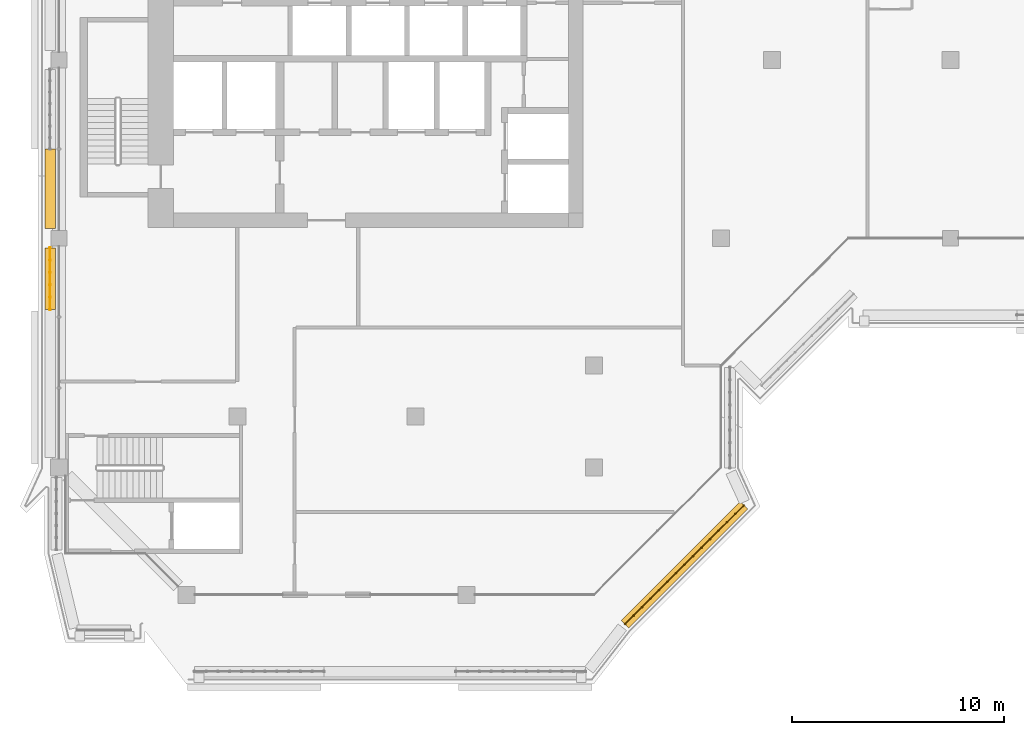
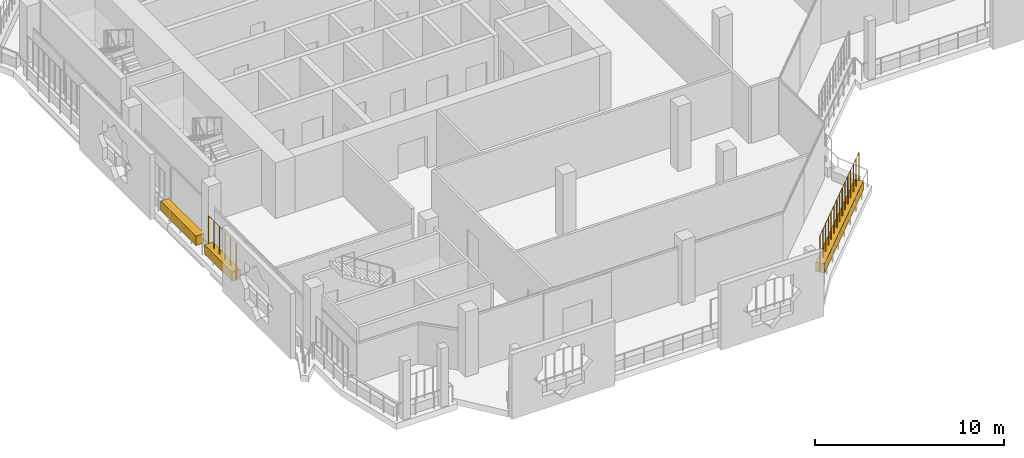
# One storey, part 16 of 21: 3 coverings, 2 railings.
"""IFC4 building model written with IfcOpenShell, lengths in metres."""

import ifcopenshell
import ifcopenshell.guid

model = None  # the IFC model being written
_history = None  # IfcOwnerHistory: only IFC2X3 demands one
_inside = {}  # id of a spatial element -> (the spatial element, [elements in it])
_under = {}  # id of a project, library or spatial element -> (it, [spatial elements below it])
_declared = {}  # id of a project -> (the project, [libraries it declares])
_typed = {}  # id of a type object -> (the type object, [elements of that type])
_made_of = {}  # id of a material, layer set ... -> (it, [elements and type objects made of it])


def new_model(schema):
    """Start an empty IFC model of exactly this schema.

    Asked for "IFC4X3", IfcOpenShell would pick the latest addendum, in which some entities
    have other attributes; the version numbers below select the first issue.
    IFC2X3 requires an IfcOwnerHistory on every rooted entity: one is made here for all.
    """
    global model, _history
    if schema == "IFC4X3":
        model = ifcopenshell.file(schema_version=(4, 3, 0, 0))
    else:
        model = ifcopenshell.file(schema=schema)
    _inside.clear()
    _under.clear()
    _declared.clear()
    _typed.clear()
    _made_of.clear()
    _history = None
    if model.schema == "IFC2X3":
        org = make("IfcOrganization", Name="unknown")
        user = make(
            "IfcPersonAndOrganization",
            ThePerson=make("IfcPerson", FamilyName="unknown"),
            TheOrganization=org,
        )
        app = make(
            "IfcApplication",
            ApplicationDeveloper=org,
            Version="unknown",
            ApplicationFullName="unknown",
            ApplicationIdentifier="unknown",
        )
        _history = make(
            "IfcOwnerHistory",
            OwningUser=user,
            OwningApplication=app,
            ChangeAction="ADDED",
            CreationDate=0,
        )
    return model


def make(cls, **values):
    """One entity of the class cls with the attributes given. An attribute that is None is left unset."""
    return model.create_entity(
        cls, **{name: value for name, value in values.items() if value is not None}
    )


def rooted(cls, **values):
    """An entity with a GlobalId (a new one), such as an element, a storey or a relation."""
    return make(cls, GlobalId=ifcopenshell.guid.new(), OwnerHistory=_history, **values)


def si_unit(unit_type, name, prefix=None):
    """IfcSIUnit, for example si_unit("LENGTHUNIT", "METRE", prefix="MILLI")."""
    return make("IfcSIUnit", UnitType=unit_type, Prefix=prefix, Name=name)


def assignment(units):
    """IfcUnitAssignment: the units of a project."""
    return None if units is None else make("IfcUnitAssignment", Units=units)


def point(xyz):
    """IfcCartesianPoint."""
    return None if xyz is None else make("IfcCartesianPoint", Coordinates=xyz)


def direction(xyz):
    """IfcDirection."""
    return None if xyz is None else make("IfcDirection", DirectionRatios=xyz)


def frame(location, z_axis=None, x_axis=None):
    """IfcAxis2Placement3D, a coordinate frame: its origin and axes. An axis left out is left unset."""
    return make(
        "IfcAxis2Placement3D",
        Location=point(location),
        Axis=direction(z_axis),
        RefDirection=direction(x_axis),
    )


def frame_2d(location, x_axis=None):
    """IfcAxis2Placement2D, a coordinate frame in the plane: its origin and x axis."""
    return make(
        "IfcAxis2Placement2D", Location=point(location), RefDirection=direction(x_axis)
    )


def origin():
    """The frame at (0, 0, 0) with its axes left unset."""
    return frame((0.0, 0.0, 0.0))


def origin_2d():
    """The frame at (0, 0) in the plane with its x axis left unset."""
    return frame_2d((0.0, 0.0))


def place(relative_to, where):
    """IfcLocalPlacement: puts the frame where relative to a parent placement (None: the world)."""
    return make(
        "IfcLocalPlacement", PlacementRelTo=relative_to, RelativePlacement=where
    )


def context(
    kind, dimensions, precision=None, world=None, true_north=None, identifier=None
):
    """IfcGeometricRepresentationContext, for example the 3D "Model" context."""
    return make(
        "IfcGeometricRepresentationContext",
        ContextIdentifier=identifier,
        ContextType=kind,
        CoordinateSpaceDimension=dimensions,
        Precision=precision,
        WorldCoordinateSystem=world,
        TrueNorth=true_north,
    )


def subcontext(parent, identifier, kind, view, scale=None):
    """IfcGeometricRepresentationSubContext, for example "Body" below "Model"."""
    return make(
        "IfcGeometricRepresentationSubContext",
        ContextIdentifier=identifier,
        ContextType=kind,
        ParentContext=parent,
        TargetScale=scale,
        TargetView=view,
    )


def project(units=None, contexts=None):
    """IfcProject with its units and contexts."""
    return rooted(
        "IfcProject",
        Name="project",
        RepresentationContexts=contexts,
        UnitsInContext=assignment(units),
    )


def spatial(cls, under=None, at=None, **own):
    """A site, building, storey or space (cls), placed at a placement, below another one or the project."""
    s = rooted(cls, ObjectPlacement=at, **own)
    if under is not None:
        _under.setdefault(under.id(), (under, []))[1].append(s)
    return s


def profile(cls, at=None, kind="AREA", **sizes):
    """A parametric profile (cls). Its sizes go by their IFC names, for example OverallWidth=200.0."""
    return make(cls, ProfileType=kind, Position=at, **sizes)


def rectangle(**sizes):
    """IfcRectangleProfileDef."""
    return profile("IfcRectangleProfileDef", **sizes)


def circle(**sizes):
    """IfcCircleProfileDef."""
    return profile("IfcCircleProfileDef", **sizes)


def extrude(swept, where, along, depth):
    """IfcExtrudedAreaSolid: the profile swept, set in the frame where, extruded along a direction by depth."""
    return make(
        "IfcExtrudedAreaSolid",
        SweptArea=swept,
        Position=where,
        ExtrudedDirection=direction(along),
        Depth=depth,
    )


def shape(context_of_items, identifier, shape_type, items):
    """IfcShapeRepresentation: the items that make up one representation, for example the "Body"."""
    return make(
        "IfcShapeRepresentation",
        ContextOfItems=context_of_items,
        RepresentationIdentifier=identifier,
        RepresentationType=shape_type,
        Items=items,
    )


def material(Name=None, Category=None):
    """IfcMaterial."""
    return make("IfcMaterial", Name=Name, Category=Category)


def material_profile(
    of_material, cross_section, Name=None, Category=None, Priority=None
):
    """IfcMaterialProfile: a cross section and its material."""
    return make(
        "IfcMaterialProfile",
        Name=Name,
        Material=of_material,
        Profile=cross_section,
        Priority=Priority,
        Category=Category,
    )


def profile_set(profiles, Name=None, composite=None):
    """IfcMaterialProfileSet."""
    return make(
        "IfcMaterialProfileSet",
        Name=Name,
        MaterialProfiles=profiles,
        CompositeProfile=composite,
    )


def made_of(thing, what):
    """Note that an element or type object is made of a material, layer set ...; save() writes the relation."""
    if what is not None:
        _made_of.setdefault(what.id(), (what, []))[1].append(thing)
    return thing


def type_object(cls, material=None, **own):
    """A type object (cls), such as IfcWallType, which elements share."""
    return made_of(rooted(cls, **own), material)


def element(
    cls,
    number,
    at=None,
    inside=None,
    cuts=None,
    type_object=None,
    material=None,
    context=None,
    identifier="Body",
    shape_type=None,
    held_by="IfcProductDefinitionShape",
    body=None,
    shapes=None,
    **own,
):
    """One element of the class cls, such as IfcWall. Its Tag is "e" and its number.

    at: its placement. inside: the storey or other place that contains it. cuts: it is an
    opening in that element (IfcRelVoidsElement). A single representation is given by context,
    identifier, shape_type and body (its items); several are given by shapes. held_by: the class
    of the entity that holds the representations. save() writes the other relations.
    """
    e = rooted(cls, Tag="e%d" % number, ObjectPlacement=at, **own)
    if body is not None:
        shapes = [shape(context, identifier, shape_type, body)]
    if shapes is not None:
        e.Representation = make(held_by, Representations=shapes)
    if inside is not None:
        _inside.setdefault(inside.id(), (inside, []))[1].append(e)
    if cuts is not None:
        rooted(
            "IfcRelVoidsElement", RelatingBuildingElement=cuts, RelatedOpeningElement=e
        )
    if type_object is not None:
        _typed.setdefault(type_object.id(), (type_object, []))[1].append(e)
    return made_of(e, material)


def aggregate(whole, parts):
    """IfcRelAggregates: a whole, such as a stair, and the parts it consists of."""
    return rooted("IfcRelAggregates", RelatingObject=whole, RelatedObjects=parts)


def save(model, path):
    """Write the relations noted so far, then the file.

    IfcRelAggregates (storeys below a building ...), IfcRelContainedInSpatialStructure (elements
    in a storey), IfcRelDefinesByType, IfcRelAssociatesMaterial and IfcRelDeclares: one each for
    every whole, place, type object, material and project.
    """
    for whole, parts in _under.values():
        aggregate(whole, parts)
    for where, things in _inside.values():
        rooted(
            "IfcRelContainedInSpatialStructure",
            RelatedElements=things,
            RelatingStructure=where,
        )
    for kind, things in _typed.values():
        rooted("IfcRelDefinesByType", RelatedObjects=things, RelatingType=kind)
    for what, things in _made_of.values():
        rooted("IfcRelAssociatesMaterial", RelatedObjects=things, RelatingMaterial=what)
    for by, libraries in _declared.values():
        rooted("IfcRelDeclares", RelatingContext=by, RelatedDefinitions=libraries)
    model.write(path)


model = new_model("IFC4")

# Units and contexts
model_context = context("Model", 3, precision=1e-05, world=origin(), true_north=direction((0.0, 1.0)))
body_context = subcontext(model_context, "Body", "Model", "MODEL_VIEW")
ifc_project = project(units=[si_unit("LENGTHUNIT", "METRE"), si_unit("AREAUNIT", "SQUARE_METRE"), si_unit("VOLUMEUNIT", "CUBIC_METRE"), si_unit("PLANEANGLEUNIT", "RADIAN"), si_unit("MASSUNIT", "GRAM", prefix="KILO")], contexts=[model_context])

# Site, building, storey
site_placement = place(None, origin())
site = spatial("IfcSite", under=ifc_project, at=site_placement, CompositionType="ELEMENT")
building_placement = place(site_placement, origin())
building = spatial("IfcBuilding", under=site, at=building_placement, Name="Kawkab Arch Medical Tower", CompositionType="ELEMENT")
storey_placement = place(building_placement, frame((0.0, 0.0, 323.800048828125)))
storey = spatial("IfcBuildingStorey", under=building, at=storey_placement, Name="L75", CompositionType="ELEMENT", Elevation=323.800048828125)

# Coverings
ifc_material_1 = material(Name="Planting soil in a precast trough", Category="concrete")
ifc_material_profile = material_profile(ifc_material_1, rectangle(XDim=0.5, YDim=0.60009765625, at=origin_2d()), Name="Trough 500x600")
ifc_profile_set = profile_set([ifc_material_profile], Name="Planting soil in a precast trough")
covering_type = type_object("IfcCoveringType", Name="Planter trough 500 x 600", PredefinedType="USERDEFINED", material=ifc_profile_set)
covering_1_placement = place(storey_placement, frame((-0.419921875, -28.56298828125, 0.300048828125), z_axis=(0.0, 1.0, 0.0), x_axis=(-1.0, 0.0, 0.0)))
element("IfcCovering", 1, at=covering_1_placement, inside=storey, type_object=covering_type, Name="Planter L75.LOG-01-01.5", ObjectType="PLANTER", PredefinedType="USERDEFINED", context=body_context, shape_type="SweptSolid", body=[
    extrude(rectangle(XDim=0.5, YDim=0.60009765625, at=origin_2d()), origin(), (0.0, 0.0, 1.0), 2.909912109375),
])
covering_2_placement = place(storey_placement, frame((-0.419921875, -24.7470703125, 0.300048828125), z_axis=(0.0, 1.0, 0.0), x_axis=(-1.0, 0.0, 0.0)))
element("IfcCovering", 2, at=covering_2_placement, inside=storey, type_object=covering_type, Name="Planter L75.LOG-01-01.6", ObjectType="PLANTER", PredefinedType="USERDEFINED", context=body_context, shape_type="SweptSolid", body=[
    extrude(rectangle(XDim=0.5, YDim=0.60009765625, at=origin_2d()), origin(), (0.0, 0.0, 1.0), 3.7470703125),
])
covering_3_placement = place(storey_placement, frame((32.27294921875, -37.782958984375, 0.300048828125), z_axis=(-0.707091367247, -0.70712219479, 0.0), x_axis=(0.70712219479, -0.707091367247, 0.0)))
element("IfcCovering", 3, at=covering_3_placement, inside=storey, type_object=covering_type, Name="Planter L75.LOG-01-01.33", ObjectType="PLANTER", PredefinedType="USERDEFINED", context=body_context, shape_type="SweptSolid", body=[
    extrude(rectangle(XDim=0.5, YDim=0.60009765625, at=origin_2d()), origin(), (0.0, 0.0, 1.0), 7.919677734375),
])

# Railings
ifc_material_2 = material(Name="Bronze anodised aluminium trellis for climbing plants", Category="aluminium")
railing_type = type_object("IfcRailingType", Name="Planting trellis 2400", PredefinedType="USERDEFINED", material=ifc_material_2)
railing_1_placement = place(storey_placement, frame((-0.419921875, -28.56298828125, 0.0)))
element("IfcRailing", 4, at=railing_1_placement, inside=storey, type_object=railing_type, Name="Planting trellis L75.LOG-01-01.5", ObjectType="TRELLIS", PredefinedType="USERDEFINED", context=body_context, shape_type="SweptSolid", body=[
    extrude(circle(Radius=0.01513671875, at=origin_2d()), frame((0.0, 0.0, 2.384765625), z_axis=(0.0, 1.0, 0.0), x_axis=(-1.0, 0.0, 0.0)), (0.0, 0.0, 1.0), 2.909912109375),
    extrude(circle(Radius=0.030029296875, at=origin_2d()), origin(), (0.0, 0.0, 1.0), 2.369873046875),
    extrude(circle(Radius=0.030029296875, at=origin_2d()), frame((0.0, 0.58203125, 0.0)), (0.0, 0.0, 1.0), 2.369873046875),
    extrude(circle(Radius=0.030029296875, at=origin_2d()), frame((0.0, 1.1640625, 0.0)), (0.0, 0.0, 1.0), 2.369873046875),
    extrude(circle(Radius=0.030029296875, at=origin_2d()), frame((0.0, 1.745849609375, 0.0)), (0.0, 0.0, 1.0), 2.369873046875),
    extrude(circle(Radius=0.030029296875, at=origin_2d()), frame((0.0, 2.327880859375, 0.0)), (0.0, 0.0, 1.0), 2.369873046875),
    extrude(circle(Radius=0.030029296875, at=origin_2d()), frame((0.0, 2.909912109375, 0.0)), (0.0, 0.0, 1.0), 2.369873046875),
])
railing_2_placement = place(storey_placement, frame((32.27294921875, -37.782958984375, 0.0)))
element("IfcRailing", 5, at=railing_2_placement, inside=storey, type_object=railing_type, Name="Planting trellis L75.LOG-01-01.33", ObjectType="TRELLIS", PredefinedType="USERDEFINED", context=body_context, shape_type="SweptSolid", body=[
    extrude(circle(Radius=0.01513671875, at=origin_2d()), frame((0.0, 0.0, 2.384765625), z_axis=(-0.707091367247, -0.70712219479, 0.0), x_axis=(0.70712219479, -0.707091367247, 0.0)), (0.0, 0.0, 1.0), 7.919677734375),
    extrude(circle(Radius=0.030029296875, at=origin_2d()), origin(), (0.0, 0.0, 1.0), 2.369873046875),
    extrude(circle(Radius=0.030029296875, at=origin_2d()), frame((-0.39990234375, -0.39990234375, 0.0)), (0.0, 0.0, 1.0), 2.369873046875),
    extrude(circle(Radius=0.030029296875, at=origin_2d()), frame((-0.800048828125, -0.800048828125, 0.0)), (0.0, 0.0, 1.0), 2.369873046875),
    extrude(circle(Radius=0.030029296875, at=origin_2d()), frame((-1.199951171875, -1.199951171875, 0.0)), (0.0, 0.0, 1.0), 2.369873046875),
    extrude(circle(Radius=0.030029296875, at=origin_2d()), frame((-1.599853515625, -1.60009765625, 0.0)), (0.0, 0.0, 1.0), 2.369873046875),
    extrude(circle(Radius=0.030029296875, at=origin_2d()), frame((-2.0, -2.0, 0.0)), (0.0, 0.0, 1.0), 2.369873046875),
    extrude(circle(Radius=0.030029296875, at=origin_2d()), frame((-2.39990234375, -2.400146484375, 0.0)), (0.0, 0.0, 1.0), 2.369873046875),
    extrude(circle(Radius=0.030029296875, at=origin_2d()), frame((-2.7998046875, -2.800048828125, 0.0)), (0.0, 0.0, 1.0), 2.369873046875),
    extrude(circle(Radius=0.030029296875, at=origin_2d()), frame((-3.199951171875, -3.199951171875, 0.0)), (0.0, 0.0, 1.0), 2.369873046875),
    extrude(circle(Radius=0.030029296875, at=origin_2d()), frame((-3.599853515625, -3.60009765625, 0.0)), (0.0, 0.0, 1.0), 2.369873046875),
    extrude(circle(Radius=0.030029296875, at=origin_2d()), frame((-4.0, -4.0, 0.0)), (0.0, 0.0, 1.0), 2.369873046875),
    extrude(circle(Radius=0.030029296875, at=origin_2d()), frame((-4.39990234375, -4.400146484375, 0.0)), (0.0, 0.0, 1.0), 2.369873046875),
    extrude(circle(Radius=0.030029296875, at=origin_2d()), frame((-4.7998046875, -4.800048828125, 0.0)), (0.0, 0.0, 1.0), 2.369873046875),
    extrude(circle(Radius=0.030029296875, at=origin_2d()), frame((-5.199951171875, -5.2001953125, 0.0)), (0.0, 0.0, 1.0), 2.369873046875),
    extrude(circle(Radius=0.030029296875, at=origin_2d()), frame((-5.599853515625, -5.60009765625, 0.0)), (0.0, 0.0, 1.0), 2.369873046875),
])

save(model, "model.ifc")
